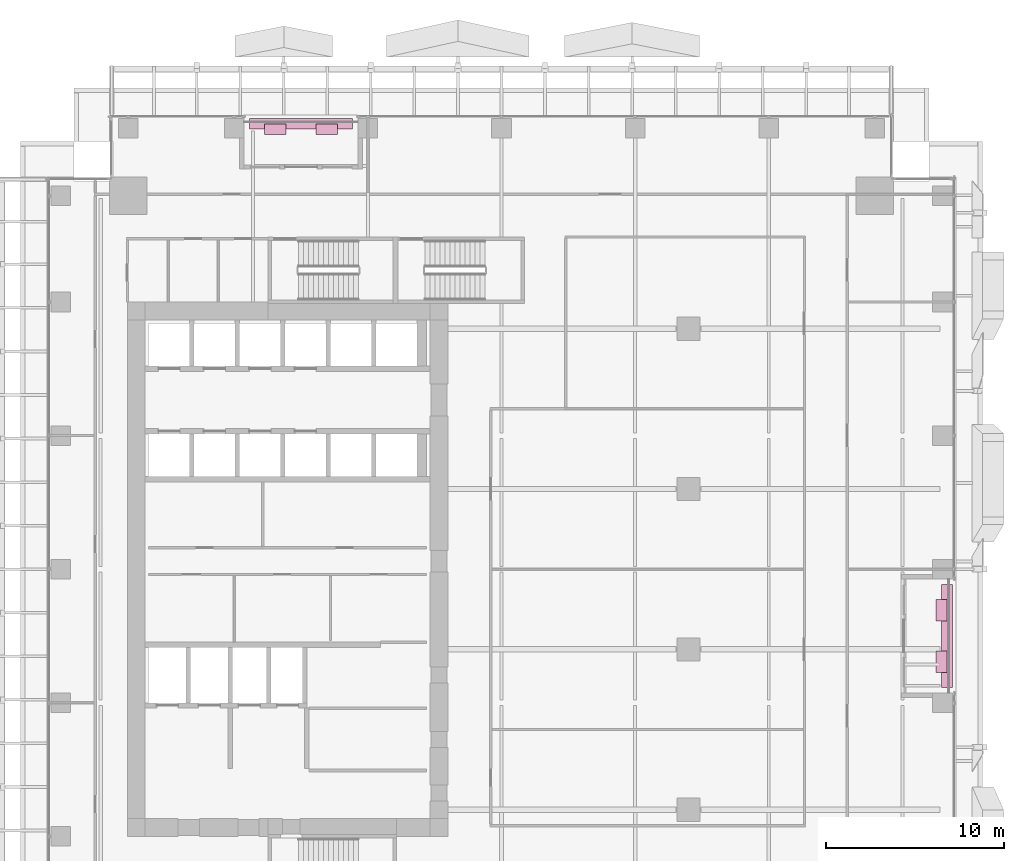
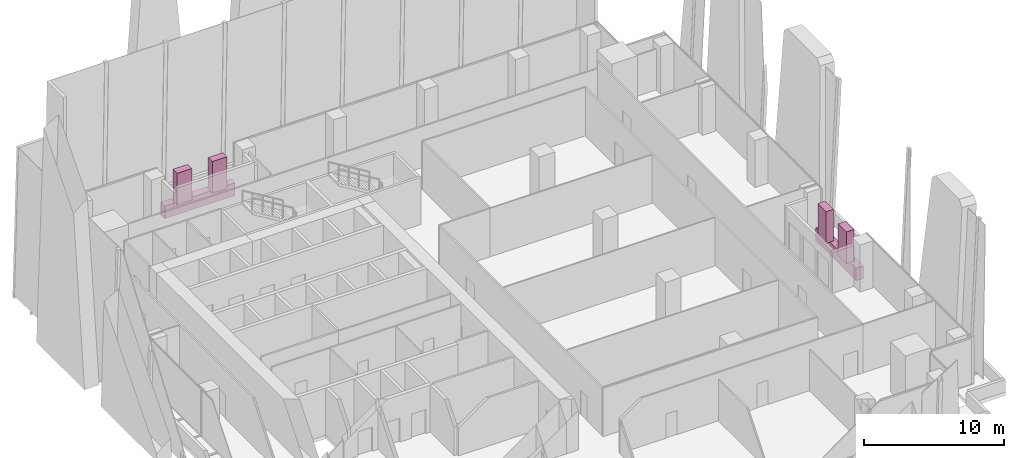
# One storey, part 37 of 37: 6 furnishings.
"""IFC4 building model written with IfcOpenShell, lengths in metres."""

from ifc_helpers import new_model, si_unit, direction, frame, origin, origin_2d, place, context, subcontext, project, spatial, rectangle, extrude, source, transform, mapped, material, type_object, element, save


model = new_model("IFC4")

# Units and contexts
model_context = context("Model", 3, precision=1e-05, world=origin(), true_north=direction((0.0, 1.0)))
body_context = subcontext(model_context, "Body", "Model", "MODEL_VIEW")
ifc_project = project(units=[si_unit("LENGTHUNIT", "METRE"), si_unit("AREAUNIT", "SQUARE_METRE"), si_unit("VOLUMEUNIT", "CUBIC_METRE"), si_unit("PLANEANGLEUNIT", "RADIAN"), si_unit("MASSUNIT", "GRAM", prefix="KILO")], contexts=[model_context])

# Site, building, storey
site_placement = place(None, origin())
site = spatial("IfcSite", under=ifc_project, at=site_placement, CompositionType="ELEMENT")
building_placement = place(site_placement, origin())
building = spatial("IfcBuilding", under=site, at=building_placement, Name="Khomas Fold Tower", CompositionType="ELEMENT")
storey_placement = place(building_placement, frame((0.0, 0.0, 101.5)))
storey = spatial("IfcBuildingStorey", under=building, at=storey_placement, Name="L21", CompositionType="ELEMENT", Elevation=101.5)

# Furnishings
ifc_material_1 = material(Name="Planting")
furnishing_element_type_1 = type_object("IfcFurnishingElementType", Name="BL-Tree Shepherd's tree", material=ifc_material_1)
shared_shape_1 = source(origin(), body_context, "Body", "SweptSolid", [
    extrude(rectangle(XDim=1.199951171875, YDim=0.60009765625, at=origin_2d()), origin(), (0.0, 0.0, 1.0), 2.7451171875),
])
furnishing_1_placement = place(storey_placement, frame((14.300048828125, 51.699951171875, 1.054931640625), z_axis=(0.0, 0.0, 1.0), x_axis=(1.0, 0.0, 0.0)))
element("IfcFurnishingElement", 1, at=furnishing_1_placement, inside=storey, type_object=furnishing_element_type_1, Name="PLANTER (TREE) Shepherd's tree BAL-L21-N1-1", context=body_context, shape_type="MappedRepresentation", body=[
    mapped(shared_shape_1, transform((0.0, 0.0, 0.0))),
])
ifc_material_2 = material(Name="Planting")
furnishing_element_type_2 = type_object("IfcFurnishingElementType", Name="BL-Tree Karee", material=ifc_material_2)
furnishing_2_placement = place(storey_placement, frame((17.199951171875, 51.699951171875, 1.054931640625), z_axis=(0.0, 0.0, 1.0), x_axis=(1.0, 0.0, 0.0)))
element("IfcFurnishingElement", 2, at=furnishing_2_placement, inside=storey, type_object=furnishing_element_type_2, Name="PLANTER (TREE) Karee BAL-L21-N1-2", context=body_context, shape_type="MappedRepresentation", body=[
    mapped(shared_shape_1, transform((0.0, 0.0, 0.0))),
])
furnishing_3_placement = place(storey_placement, frame((51.699951171875, 21.800048828125, 1.054931640625), z_axis=(0.0, 0.0, 1.0), x_axis=(0.0, 1.0, 0.0)))
element("IfcFurnishingElement", 3, at=furnishing_3_placement, inside=storey, type_object=furnishing_element_type_1, Name="PLANTER (TREE) Shepherd's tree BAL-L21-E2-1", context=body_context, shape_type="MappedRepresentation", body=[
    mapped(shared_shape_1, transform((0.0, 0.0, 0.0))),
])
furnishing_4_placement = place(storey_placement, frame((51.699951171875, 24.699951171875, 1.054931640625), z_axis=(0.0, 0.0, 1.0), x_axis=(0.0, 1.0, 0.0)))
element("IfcFurnishingElement", 4, at=furnishing_4_placement, inside=storey, type_object=furnishing_element_type_2, Name="PLANTER (TREE) Karee BAL-L21-E2-2", context=body_context, shape_type="MappedRepresentation", body=[
    mapped(shared_shape_1, transform((0.0, 0.0, 0.0))),
])
ifc_material_3 = material(Name="Precast concrete C40/50", Category="concrete")
furnishing_element_type_3 = type_object("IfcFurnishingElementType", Name="BL-Structural planter box", material=ifc_material_3)
shared_shape_2 = source(origin(), body_context, "Body", "SweptSolid", [
    extrude(rectangle(XDim=5.800048828125, YDim=0.60009765625, at=origin_2d()), origin(), (0.0, 0.0, 1.0), 1.10009765625),
])
for number, where, z_axis, x_axis, name in (
    (5, (15.75, 52.0, -0.045166015625), (0.0, 0.0, 1.0), (1.0, 0.0, 0.0), "PLANTER BAL-L21-N1"),
    (6, (52.0, 23.25, -0.045166015625), (0.0, 0.0, 1.0), (0.0, 1.0, 0.0), "PLANTER BAL-L21-E2"),
):
    element("IfcFurnishingElement", number, at=place(storey_placement, frame(where, z_axis=z_axis, x_axis=x_axis)), inside=storey, type_object=furnishing_element_type_3, Name=name, context=body_context, shape_type="MappedRepresentation", body=[
        mapped(shared_shape_2, transform((0.0, 0.0, 0.0))),
    ])

save(model, "model.ifc")
